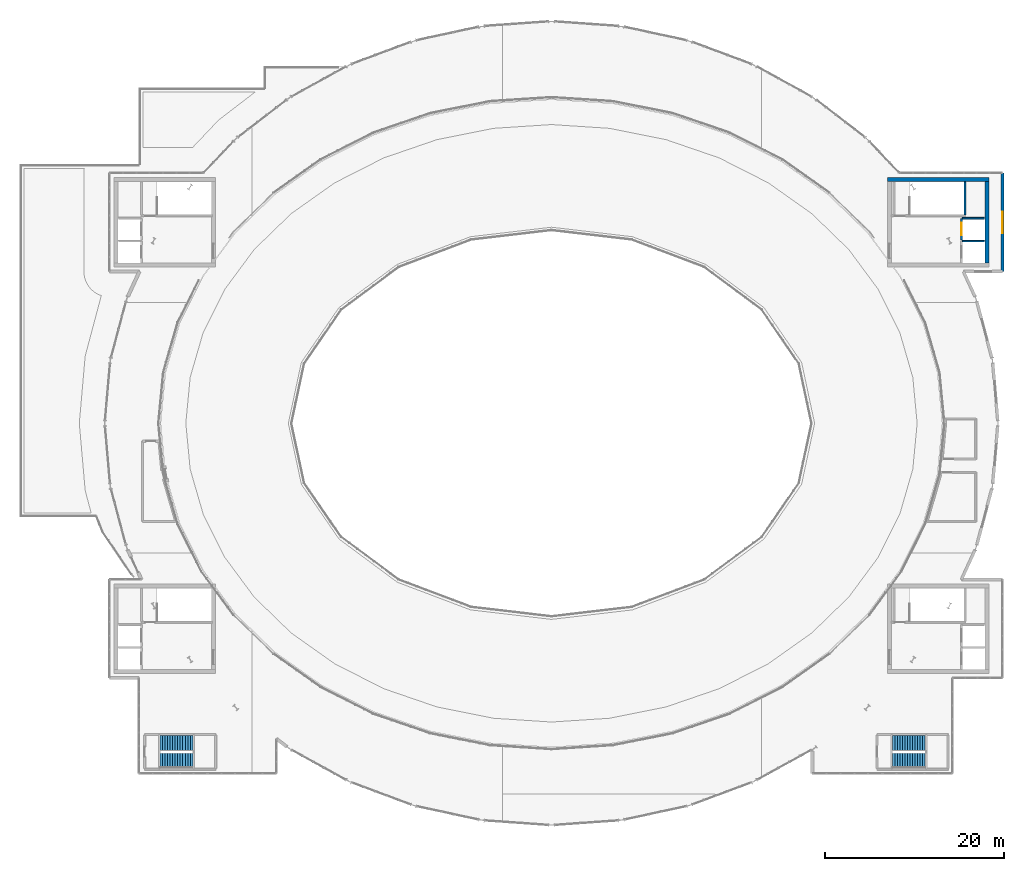
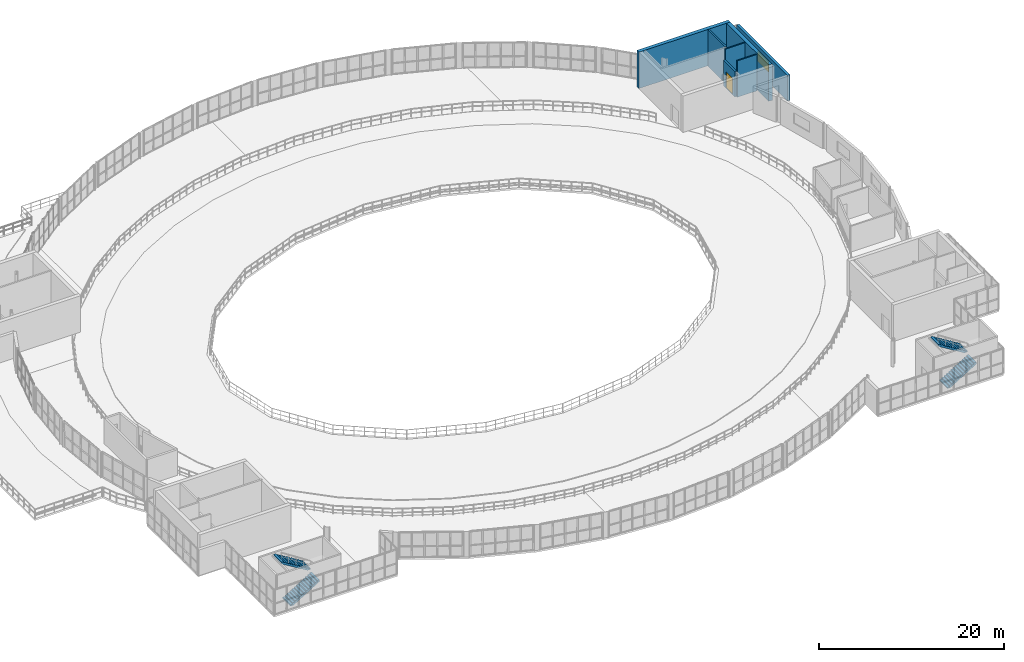
# One storey, part 34 of 40: 7 walls, 4 stair flights, 1 door, 1 window, 2 openings, 2 elements without a shape of their own.
"""IFC4 building model written with IfcOpenShell, lengths in metres."""

from ifc_helpers import new_model, si_unit, direction, frame, frame_2d, origin, place, context, subcontext, project, spatial, polyline, rectangle, outline, extrude, material, layer, layer_set, type_object, element, fill, aggregate, save


model = new_model("IFC4")

# Units and contexts
model_context = context("Model", 3, precision=1e-05, world=origin(), true_north=direction((0.0, 1.0)))
body_context = subcontext(model_context, "Body", "Model", "MODEL_VIEW")
ifc_project = project(units=[si_unit("LENGTHUNIT", "METRE"), si_unit("AREAUNIT", "SQUARE_METRE"), si_unit("VOLUMEUNIT", "CUBIC_METRE"), si_unit("PLANEANGLEUNIT", "RADIAN"), si_unit("MASSUNIT", "GRAM", prefix="KILO")], contexts=[model_context])

# Site, building, storey
site_placement = place(None, origin())
site = spatial("IfcSite", under=ifc_project, at=site_placement, CompositionType="ELEMENT")
building_placement = place(site_placement, origin())
building = spatial("IfcBuilding", under=site, at=building_placement, Name="Glasvene Arena", CompositionType="ELEMENT")
storey_placement = place(building_placement, frame((0.0, 0.0, 24.0)))
storey = spatial("IfcBuildingStorey", under=building, at=storey_placement, Name="L05", CompositionType="ELEMENT", Elevation=24.0)

# Walls
ifc_material_1 = material(Name="Concrete C40/50", Category="concrete")
ifc_layer_1 = layer(ifc_material_1, 0.449951171875)
ifc_layer_set_1 = layer_set([ifc_layer_1], Name="Concrete C40/50")
wall_type_1 = type_object("IfcWallType", Name="WL-CORE-450", PredefinedType="SHEAR", material=ifc_layer_set_1)
wall_1_placement = place(storey_placement, frame((129.60009765625, 100.27490234375, 0.0), z_axis=(0.0, 0.0, 1.0), x_axis=(1.0, 0.0, 0.0)))
element("IfcWall", 1, at=wall_1_placement, inside=storey, type_object=wall_type_1, Name="Core C2 North-East shear wall N L05", PredefinedType="SHEAR", context=body_context, shape_type="SweptSolid", body=[
    extrude(rectangle(XDim=11.39990234375, YDim=0.449951171875, at=frame_2d((5.699951171875, 0.0))), origin(), (0.0, 0.0, 1.0), 4.800048828125),
])
wall_2_placement = place(storey_placement, frame((140.77490234375, 90.949951171875, 0.0), z_axis=(0.0, 0.0, 1.0), x_axis=(0.0, 1.0, 0.0)))
element("IfcWall", 2, at=wall_2_placement, inside=storey, type_object=wall_type_1, Name="Core C2 North-East shear wall E L05", PredefinedType="SHEAR", context=body_context, shape_type="SweptSolid", body=[
    extrude(rectangle(XDim=9.10009765625, YDim=0.449951171875, at=frame_2d((4.550048828125, 0.0))), origin(), (0.0, 0.0, 1.0), 4.800048828125),
])

# Wall, opening, window
ifc_material_2 = material(Name="Precast concrete C50/60", Category="concrete")
ifc_layer_2 = layer(ifc_material_2, 0.320068359375)
ifc_layer_set_2 = layer_set([ifc_layer_2], Name="Precast concrete C50/60")
wall_type_2 = type_object("IfcWallType", Name="WL-EXT-PRC-320", PredefinedType="STANDARD", material=ifc_layer_set_2)
wall_3_placement = place(storey_placement, frame((142.5, 101.0, 0.0), z_axis=(0.0, 0.0, 1.0), x_axis=(0.0, -1.0, 0.0)))
wall_3 = element("IfcWall", 3, at=wall_3_placement, inside=storey, type_object=wall_type_2, Name="External facade wall EW-L05-0292", PredefinedType="STANDARD", context=body_context, shape_type="SweptSolid", body=[
    extrude(rectangle(XDim=11.0, YDim=0.320068359375, at=frame_2d((5.5, 0.0))), origin(), (0.0, 0.0, 1.0), 3.3798828125),
])
opening_1_placement = place(wall_3_placement, frame((4.300048828125, 0.0, 1.14990234375)))
opening_1 = element("IfcOpeningElement", 4, at=opening_1_placement, cuts=wall_3, Name="Opening W-18", PredefinedType="OPENING", context=body_context, shape_type="SweptSolid", body=[
    extrude(rectangle(XDim=2.39990234375, YDim=1.39990234375, at=frame_2d((1.199951171875, 0.699951171875))), frame((0.0, 0.169921875, 0.0), z_axis=(0.0, -1.0, 0.0), x_axis=(1.0, 0.0, 0.0)), (0.0, 0.0, 1.0), 0.340087890625),
])
ifc_material_3 = material(Name="Low-emissivity laminated double glazing", Category="glass")
window_type = type_object("IfcWindowType", Name="WN-LOUV-240x140", PartitioningType="DOUBLE_PANEL_HORIZONTAL", PredefinedType="WINDOW", material=ifc_material_3)
window_placement = place(opening_1_placement, origin())
window = element("IfcWindow", 5, at=window_placement, inside=storey, type_object=window_type, Name="Facade window WN-LOUV-240x140 L05-0185", OverallHeight=1.39990234375, OverallWidth=2.39990234375, PartitioningType="SINGLE_PANEL", PredefinedType="WINDOW", context=body_context, shape_type="SweptSolid", body=[
    extrude(rectangle(XDim=2.39990234375, YDim=1.39990234375, at=frame_2d((1.199951171875, 0.699951171875))), frame((0.0, 0.030029296875, 0.0), z_axis=(0.0, -1.0, 0.0), x_axis=(1.0, 0.0, 0.0)), (0.0, 0.0, 1.0), 0.06005859375),
])
fill(opening_1, window)

# Wall, opening, door
ifc_layer_3 = layer(ifc_material_1, 0.199951171875)
ifc_layer_set_3 = layer_set([ifc_layer_3], Name="Concrete C40/50")
wall_type_3 = type_object("IfcWallType", Name="WL-SHAFT-200", PredefinedType="SHEAR", material=ifc_layer_set_3)
wall_4_placement = place(storey_placement, frame((137.89990234375, 93.5, 0.0), z_axis=(0.0, 0.0, 1.0), x_axis=(0.0, 1.0, 0.0)))
wall_4 = element("IfcWall", 6, at=wall_4_placement, inside=storey, type_object=wall_type_3, Name="Lift shaft front wall PL-02 L05", PredefinedType="SHEAR", context=body_context, shape_type="SweptSolid", body=[
    extrude(rectangle(XDim=2.449951171875, YDim=0.199951171875, at=frame_2d((1.22509765625, 0.0))), origin(), (0.0, 0.0, 1.0), 3.3798828125),
])
opening_2_placement = place(wall_4_placement, frame((0.52490234375, 0.0, 0.0)))
opening_2 = element("IfcOpeningElement", 7, at=opening_2_placement, cuts=wall_4, Name="Opening LD-PL", PredefinedType="OPENING", context=body_context, shape_type="SweptSolid", body=[
    extrude(rectangle(XDim=1.39990234375, YDim=2.199951171875, at=frame_2d((0.699951171875, 1.10009765625))), frame((0.0, 0.10986328125, 0.0), z_axis=(0.0, -1.0, 0.0), x_axis=(1.0, 0.0, 0.0)), (0.0, 0.0, 1.0), 0.219970703125),
])
ifc_material_4 = material(Name="Brushed stainless steel", Category="steel")
door_type = type_object("IfcDoorType", Name="LD-PL-1400", OperationType="DOUBLE_DOOR_SLIDING", PredefinedType="DOOR", material=ifc_material_4)
door_placement = place(opening_2_placement, origin())
door = element("IfcDoor", 8, at=door_placement, inside=storey, type_object=door_type, Name="Lift sliding landing door LD-PL-02-L05", OperationType="DOUBLE_DOOR_SLIDING", OverallHeight=2.199951171875, OverallWidth=1.39990234375, PredefinedType="DOOR", context=body_context, shape_type="SweptSolid", body=[
    extrude(rectangle(XDim=1.39990234375, YDim=2.199951171875, at=frame_2d((0.699951171875, 1.10009765625))), frame((0.0, 0.02490234375, 0.0), z_axis=(0.0, -1.0, 0.0), x_axis=(1.0, 0.0, 0.0)), (0.0, 0.0, 1.0), 0.050048828125),
])
fill(opening_2, door)

# Walls
wall_5_placement = place(storey_placement, frame((138.300048828125, 96.33203125, 0.0), z_axis=(0.0, 0.0, 1.0), x_axis=(0.0, 1.0, 0.0)))
element("IfcWall", 9, at=wall_5_placement, inside=storey, type_object=wall_type_3, Name="Escape stair shaft wall ST-02 L05 E", PredefinedType="SHEAR", context=body_context, shape_type="SweptSolid", body=[
    extrude(rectangle(XDim=3.68603515625, YDim=0.199951171875, at=frame_2d((1.843017578125, 0.0))), origin(), (0.0, 0.0, 1.0), 4.800048828125),
])
ifc_material_5 = material(Name="Moisture-resistant masonry blockwork", Category="masonry")
ifc_layer_4 = layer(ifc_material_5, 0.179931640625)
ifc_layer_set_4 = layer_set([ifc_layer_4], Name="Moisture-resistant masonry blockwork")
wall_type_4 = type_object("IfcWallType", Name="WL-WET-180", PredefinedType="PARTITIONING", material=ifc_layer_set_4)
for number, where, z_axis, x_axis, name in (
    (10, (138.0, 93.39990234375, 0.0), (0.0, 0.0, 1.0), (1.0, 0.0, 0.0), "Lift shaft divider wall C2 L05"),
    (11, (138.0, 95.949951171875, 0.0), (0.0, 0.0, 1.0), (1.0, 0.0, 0.0), "Lift shaft north enclosure wall C2 L05"),
):
    element("IfcWall", number, at=place(storey_placement, frame(where, z_axis=z_axis, x_axis=x_axis)), inside=storey, type_object=wall_type_4, Name=name, PredefinedType="PARTITIONING", context=body_context, shape_type="SweptSolid", body=[
        extrude(rectangle(XDim=2.449951171875, YDim=0.179931640625, at=frame_2d((1.22509765625, 0.0))), origin(), (0.0, 0.0, 1.0), 4.800048828125),
    ])

# Stair, stair flights
stair_type = type_object("IfcStairType", Name="ST-HT-480-170", PredefinedType="HALF_TURN_STAIR", material=ifc_material_1)
stair_1_placement = place(storey_placement, origin())
stair_1 = element("IfcStair", 12, at=stair_1_placement, inside=storey, type_object=stair_type, Name="Protected escape stair ST-05 (L05 to RF)", PredefinedType="HALF_TURN_STAIR")
stair_flight_type = type_object("IfcStairFlightType", Name="SF-HT-480-170", PredefinedType="STRAIGHT", material=ifc_material_1)
stair_flight_1_placement = place(storey_placement, frame((48.199951171875, 35.25, 0.0), z_axis=(0.0, 0.0, 1.0), x_axis=(1.0, 0.0, 0.0)))
stair_flight_1 = element("IfcStairFlight", 13, at=stair_flight_1_placement, type_object=stair_flight_type, Name="Protected escape stair ST-05 (L05 to RF) flight 1", NumberOfRisers=14, NumberOfTreads=13, PredefinedType="STRAIGHT", RiserHeight=0.171429, TreadLength=0.28, context=body_context, shape_type="SweptSolid", body=[
    extrude(outline(polyline([(0.0, 0.0), (0.0, 0.17138671875), (0.280029296875, 0.17138671875), (0.280029296875, 0.3427734375), (0.56005859375, 0.3427734375), (0.56005859375, 0.514404296875), (0.840087890625, 0.514404296875), (0.840087890625, 0.685791015625), (1.1201171875, 0.685791015625), (1.1201171875, 0.857177734375), (1.39990234375, 0.857177734375), (1.39990234375, 1.028564453125), (1.679931640625, 1.028564453125), (1.679931640625, 1.199951171875), (1.9599609375, 1.199951171875), (1.9599609375, 1.371337890625), (2.239990234375, 1.371337890625), (2.239990234375, 1.54296875), (2.52001953125, 1.54296875), (2.52001953125, 1.71435546875), (2.800048828125, 1.71435546875), (2.800048828125, 1.8857421875), (3.080078125, 1.8857421875), (3.080078125, 2.05712890625), (3.360107421875, 2.05712890625), (3.360107421875, 2.228515625), (3.639892578125, 2.228515625), (3.639892578125, 2.39990234375), (3.639892578125, 1.994140625), (0.383056640625, 0.0), (0.0, 0.0)])), frame((0.0, 0.85009765625, 0.0), z_axis=(0.0, -1.0, 0.0), x_axis=(1.0, 0.0, 0.0)), (0.0, 0.0, 1.0), 1.699951171875),
])
stair_flight_2_placement = place(storey_placement, frame((51.840087890625, 37.199951171875, 2.39990234375), z_axis=(0.0, 0.0, 1.0), x_axis=(-1.0, 0.0, 0.0)))
stair_flight_2 = element("IfcStairFlight", 14, at=stair_flight_2_placement, type_object=stair_flight_type, Name="Protected escape stair ST-05 (L05 to RF) flight 2", NumberOfRisers=14, NumberOfTreads=13, PredefinedType="STRAIGHT", RiserHeight=0.171429, TreadLength=0.28, context=body_context, shape_type="SweptSolid", body=[
    extrude(outline(polyline([(0.0, 0.0), (0.0, 0.17138671875), (0.280029296875, 0.17138671875), (0.280029296875, 0.3427734375), (0.56005859375, 0.3427734375), (0.56005859375, 0.514404296875), (0.840087890625, 0.514404296875), (0.840087890625, 0.685791015625), (1.1201171875, 0.685791015625), (1.1201171875, 0.857177734375), (1.39990234375, 0.857177734375), (1.39990234375, 1.028564453125), (1.679931640625, 1.028564453125), (1.679931640625, 1.199951171875), (1.9599609375, 1.199951171875), (1.9599609375, 1.371337890625), (2.239990234375, 1.371337890625), (2.239990234375, 1.54296875), (2.52001953125, 1.54296875), (2.52001953125, 1.71435546875), (2.800048828125, 1.71435546875), (2.800048828125, 1.8857421875), (3.080078125, 1.8857421875), (3.080078125, 2.05712890625), (3.360107421875, 2.05712890625), (3.360107421875, 2.228515625), (3.639892578125, 2.228515625), (3.639892578125, 2.39990234375), (3.639892578125, 1.994140625), (0.383056640625, 0.0), (0.0, 0.0)])), frame((0.0, 0.85009765625, 0.0), z_axis=(0.0, -1.0, 0.0), x_axis=(1.0, 0.0, 0.0)), (0.0, 0.0, 1.0), 1.699951171875),
])
aggregate(stair_1, [stair_flight_1, stair_flight_2])

stair_2_placement = place(storey_placement, origin())
stair_2 = element("IfcStair", 15, at=stair_2_placement, inside=storey, type_object=stair_type, Name="Protected escape stair ST-06 (L05 to RF)", PredefinedType="HALF_TURN_STAIR")
stair_flight_3_placement = place(storey_placement, frame((130.199951171875, 35.25, 0.0), z_axis=(0.0, 0.0, 1.0), x_axis=(1.0, 0.0, 0.0)))
stair_flight_3 = element("IfcStairFlight", 16, at=stair_flight_3_placement, type_object=stair_flight_type, Name="Protected escape stair ST-06 (L05 to RF) flight 1", NumberOfRisers=14, NumberOfTreads=13, PredefinedType="STRAIGHT", RiserHeight=0.171429, TreadLength=0.28, context=body_context, shape_type="SweptSolid", body=[
    extrude(outline(polyline([(0.0, 0.0), (0.0, 0.17138671875), (0.280029296875, 0.17138671875), (0.280029296875, 0.3427734375), (0.56005859375, 0.3427734375), (0.56005859375, 0.514404296875), (0.840087890625, 0.514404296875), (0.840087890625, 0.685791015625), (1.1201171875, 0.685791015625), (1.1201171875, 0.857177734375), (1.39990234375, 0.857177734375), (1.39990234375, 1.028564453125), (1.679931640625, 1.028564453125), (1.679931640625, 1.199951171875), (1.9599609375, 1.199951171875), (1.9599609375, 1.371337890625), (2.239990234375, 1.371337890625), (2.239990234375, 1.54296875), (2.52001953125, 1.54296875), (2.52001953125, 1.71435546875), (2.800048828125, 1.71435546875), (2.800048828125, 1.8857421875), (3.080078125, 1.8857421875), (3.080078125, 2.05712890625), (3.360107421875, 2.05712890625), (3.360107421875, 2.228515625), (3.639892578125, 2.228515625), (3.639892578125, 2.39990234375), (3.639892578125, 1.994140625), (0.383056640625, 0.0), (0.0, 0.0)])), frame((0.0, 0.85009765625, 0.0), z_axis=(0.0, -1.0, 0.0), x_axis=(1.0, 0.0, 0.0)), (0.0, 0.0, 1.0), 1.699951171875),
])
stair_flight_4_placement = place(storey_placement, frame((133.840087890625, 37.199951171875, 2.39990234375), z_axis=(0.0, 0.0, 1.0), x_axis=(-1.0, 0.0, 0.0)))
stair_flight_4 = element("IfcStairFlight", 17, at=stair_flight_4_placement, type_object=stair_flight_type, Name="Protected escape stair ST-06 (L05 to RF) flight 2", NumberOfRisers=14, NumberOfTreads=13, PredefinedType="STRAIGHT", RiserHeight=0.171429, TreadLength=0.28, context=body_context, shape_type="SweptSolid", body=[
    extrude(outline(polyline([(0.0, 0.0), (0.0, 0.17138671875), (0.280029296875, 0.17138671875), (0.280029296875, 0.3427734375), (0.56005859375, 0.3427734375), (0.56005859375, 0.514404296875), (0.840087890625, 0.514404296875), (0.840087890625, 0.685791015625), (1.1201171875, 0.685791015625), (1.1201171875, 0.857177734375), (1.39990234375, 0.857177734375), (1.39990234375, 1.028564453125), (1.679931640625, 1.028564453125), (1.679931640625, 1.199951171875), (1.9599609375, 1.199951171875), (1.9599609375, 1.371337890625), (2.239990234375, 1.371337890625), (2.239990234375, 1.54296875), (2.52001953125, 1.54296875), (2.52001953125, 1.71435546875), (2.800048828125, 1.71435546875), (2.800048828125, 1.8857421875), (3.080078125, 1.8857421875), (3.080078125, 2.05712890625), (3.360107421875, 2.05712890625), (3.360107421875, 2.228515625), (3.639892578125, 2.228515625), (3.639892578125, 2.39990234375), (3.639892578125, 1.994140625), (0.383056640625, 0.0), (0.0, 0.0)])), frame((0.0, 0.85009765625, 0.0), z_axis=(0.0, -1.0, 0.0), x_axis=(1.0, 0.0, 0.0)), (0.0, 0.0, 1.0), 1.699951171875),
])
aggregate(stair_2, [stair_flight_3, stair_flight_4])

save(model, "model.ifc")
